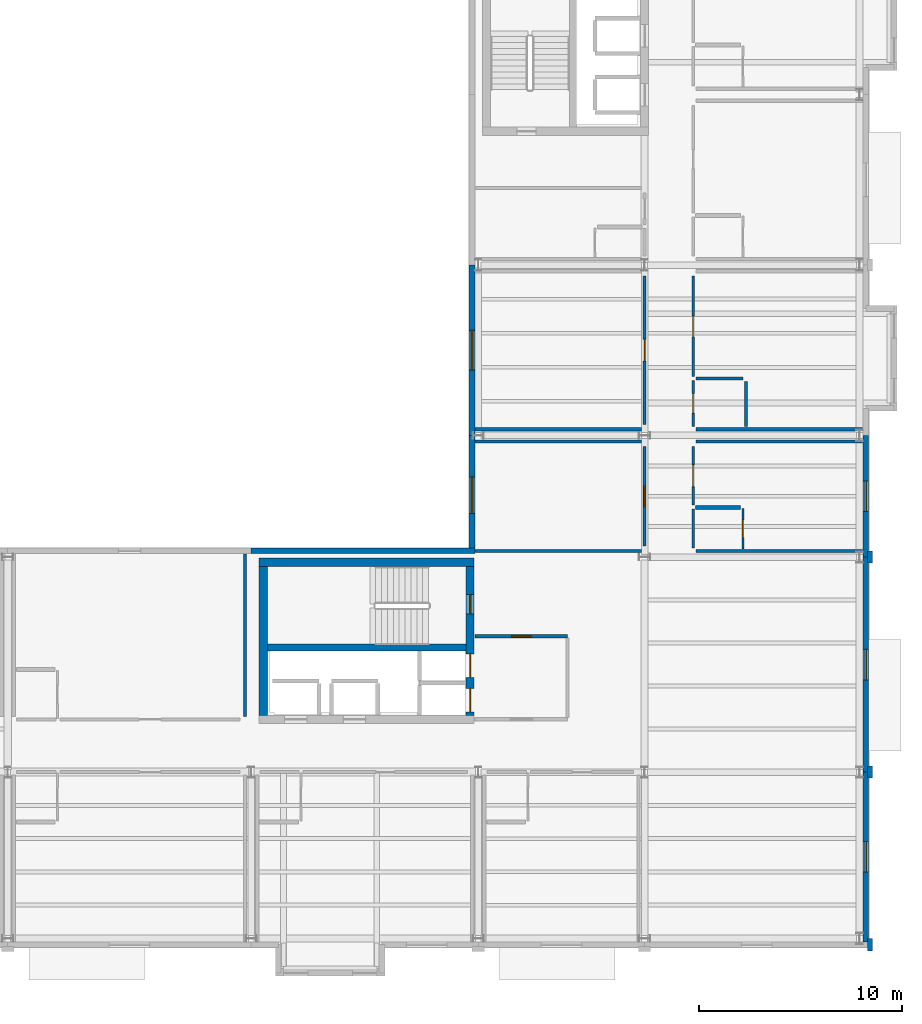
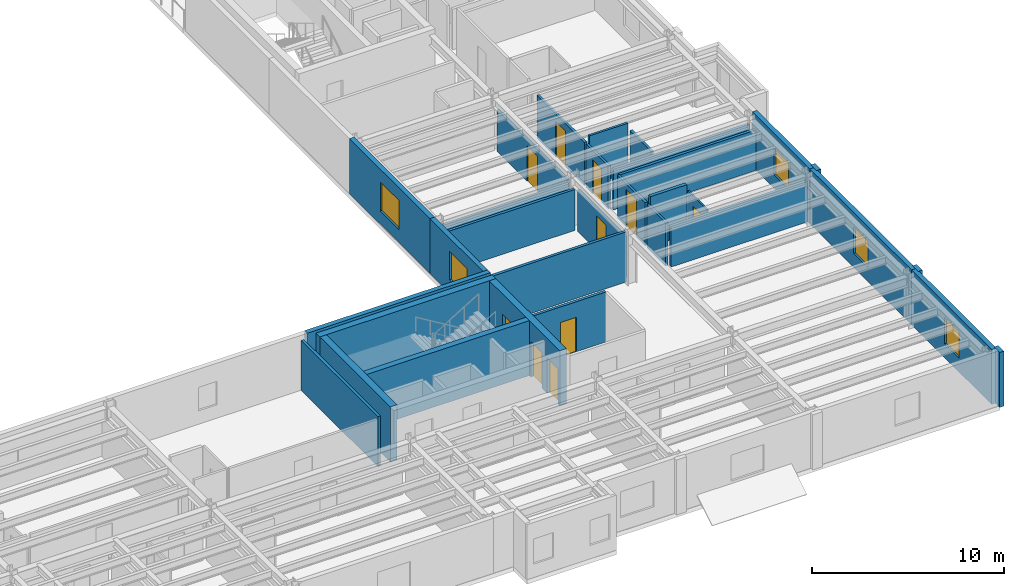
# One storey, part 13 of 19: 31 walls, 10 doors, 5 windows, 15 openings.
"""IFC4 building model written with IfcOpenShell, lengths in metres."""

from ifc_helpers import new_model, si_unit, direction, frame, frame_2d, origin, place, context, subcontext, project, spatial, rectangle, extrude, material, layer, layer_set, type_object, element, fill, save


model = new_model("IFC4")

# Units and contexts
model_context = context("Model", 3, precision=1e-05, world=origin(), true_north=direction((0.0, 1.0)))
body_context = subcontext(model_context, "Body", "Model", "MODEL_VIEW")
ifc_project = project(units=[si_unit("LENGTHUNIT", "METRE"), si_unit("AREAUNIT", "SQUARE_METRE"), si_unit("VOLUMEUNIT", "CUBIC_METRE"), si_unit("PLANEANGLEUNIT", "RADIAN"), si_unit("MASSUNIT", "GRAM", prefix="KILO")], contexts=[model_context])

# Site, building, storey
site_placement = place(None, origin())
site = spatial("IfcSite", under=ifc_project, at=site_placement, CompositionType="ELEMENT")
building_placement = place(site_placement, origin())
building = spatial("IfcBuilding", under=site, at=building_placement, Name="Sollismere Congress Hotel", CompositionType="ELEMENT")
storey_placement = place(building_placement, frame((0.0, 0.0, 34.10009765625)))
storey = spatial("IfcBuildingStorey", under=building, at=storey_placement, Name="L08", CompositionType="ELEMENT", Elevation=34.10009765625)

# Wall, opening, window
ifc_material_1 = material(Name="Colorado Buff Sandstone Rainscreen on Insulated Backup", Category="masonry")
ifc_layer_1 = layer(ifc_material_1, 0.284912109375, Name="Colorado Buff Sandstone Rainscreen on Insulated Backup")
ifc_layer_set_1 = layer_set([ifc_layer_1], Name="Colorado Buff Sandstone Rainscreen on Insulated Backup")
wall_type_1 = type_object("IfcWallType", Name="WL-EXT285", PredefinedType="STANDARD", material=ifc_layer_set_1)
wall_1_placement = place(storey_placement, frame((166.31005859375, -0.16552734375, 0.0), z_axis=(0.0, 0.0, 1.0), x_axis=(0.0, 1.0, 0.0)))
wall_1 = element("IfcWall", 1, at=wall_1_placement, inside=storey, type_object=wall_type_1, Name="Exterior wall EW-L08-843", PredefinedType="STANDARD", context=body_context, shape_type="SweptSolid", body=[
    extrude(rectangle(XDim=8.365478515625, YDim=0.284912109375, at=frame_2d((4.1826171875, 0.0))), origin(), (0.0, 0.0, 1.0), 3.5),
])
opening_1_placement = place(wall_1_placement, frame((3.4326171875, 0.0, 0.8798828125)))
opening_1 = element("IfcOpeningElement", 2, at=opening_1_placement, cuts=wall_1, Name="Opening W-L08-610", PredefinedType="OPENING", context=body_context, shape_type="SweptSolid", body=[
    extrude(rectangle(XDim=1.5, YDim=1.699951171875, at=frame_2d((0.75, 0.85009765625))), frame((0.0, 0.15234375, 0.0), z_axis=(0.0, -1.0, 0.0), x_axis=(1.0, 0.0, 0.0)), (0.0, 0.0, 1.0), 0.304931640625),
])
ifc_material_2 = material(Name="Thermally Broken Bronze Aluminum & Low-E Glass", Category="aluminium")
window_type_1 = type_object("IfcWindowType", Name="WN-P150x170", PartitioningType="SINGLE_PANEL", PredefinedType="WINDOW", material=ifc_material_2)
window_1_placement = place(opening_1_placement, origin())
window_1 = element("IfcWindow", 3, at=window_1_placement, inside=storey, type_object=window_type_1, Name="WIN-W-L08-610", OverallHeight=1.699951171875, OverallWidth=1.5, PartitioningType="SINGLE_PANEL", PredefinedType="WINDOW", context=body_context, shape_type="SweptSolid", body=[
    extrude(rectangle(XDim=1.5, YDim=1.699951171875, at=frame_2d((0.75, 0.85009765625))), frame((0.0, 0.030029296875, 0.0), z_axis=(0.0, -1.0, 0.0), x_axis=(1.0, 0.0, 0.0)), (0.0, 0.0, 1.0), 0.06005859375),
])
fill(opening_1, window_1)

wall_2_placement = place(storey_placement, frame((166.31005859375, 8.199951171875, 0.0), z_axis=(0.0, 0.0, 1.0), x_axis=(0.0, 1.0, 0.0)))
wall_2 = element("IfcWall", 4, at=wall_2_placement, inside=storey, type_object=wall_type_1, Name="Exterior wall EW-L08-845", PredefinedType="STANDARD", context=body_context, shape_type="SweptSolid", body=[
    extrude(rectangle(XDim=10.60009765625, YDim=0.284912109375, at=frame_2d((5.300048828125, 0.0))), origin(), (0.0, 0.0, 1.0), 3.5),
])
opening_2_placement = place(wall_2_placement, frame((4.550048828125, 0.0, 0.8798828125)))
opening_2 = element("IfcOpeningElement", 5, at=opening_2_placement, cuts=wall_2, Name="Opening W-L08-611", PredefinedType="OPENING", context=body_context, shape_type="SweptSolid", body=[
    extrude(rectangle(XDim=1.5, YDim=1.699951171875, at=frame_2d((0.75, 0.85009765625))), frame((0.0, 0.15234375, 0.0), z_axis=(0.0, -1.0, 0.0), x_axis=(1.0, 0.0, 0.0)), (0.0, 0.0, 1.0), 0.304931640625),
])
window_2_placement = place(opening_2_placement, origin())
window_2 = element("IfcWindow", 6, at=window_2_placement, inside=storey, type_object=window_type_1, Name="WIN-W-L08-611", OverallHeight=1.699951171875, OverallWidth=1.5, PartitioningType="SINGLE_PANEL", PredefinedType="WINDOW", context=body_context, shape_type="SweptSolid", body=[
    extrude(rectangle(XDim=1.5, YDim=1.699951171875, at=frame_2d((0.75, 0.85009765625))), frame((0.0, 0.030029296875, 0.0), z_axis=(0.0, -1.0, 0.0), x_axis=(1.0, 0.0, 0.0)), (0.0, 0.0, 1.0), 0.06005859375),
])
fill(opening_2, window_2)

wall_3_placement = place(storey_placement, frame((166.31005859375, 18.800048828125, 0.0), z_axis=(0.0, 0.0, 1.0), x_axis=(0.0, 1.0, 0.0)))
wall_3 = element("IfcWall", 7, at=wall_3_placement, inside=storey, type_object=wall_type_1, Name="Exterior wall EW-L08-847", PredefinedType="STANDARD", context=body_context, shape_type="SweptSolid", body=[
    extrude(rectangle(XDim=6.0, YDim=0.284912109375, at=frame_2d((3.0, 0.0))), origin(), (0.0, 0.0, 1.0), 3.5),
])
opening_3_placement = place(wall_3_placement, frame((2.25, 0.0, 0.85009765625)))
opening_3 = element("IfcOpeningElement", 8, at=opening_3_placement, cuts=wall_3, Name="Opening W-L08-612", PredefinedType="OPENING", context=body_context, shape_type="SweptSolid", body=[
    extrude(rectangle(XDim=1.5, YDim=1.699951171875, at=frame_2d((0.75, 0.85009765625))), frame((0.0, 0.15234375, 0.0), z_axis=(0.0, -1.0, 0.0), x_axis=(1.0, 0.0, 0.0)), (0.0, 0.0, 1.0), 0.304931640625),
])
window_3_placement = place(opening_3_placement, origin())
window_3 = element("IfcWindow", 9, at=window_3_placement, inside=storey, type_object=window_type_1, Name="WIN-W-L08-612", OverallHeight=1.699951171875, OverallWidth=1.5, PartitioningType="SINGLE_PANEL", PredefinedType="WINDOW", context=body_context, shape_type="SweptSolid", body=[
    extrude(rectangle(XDim=1.5, YDim=1.699951171875, at=frame_2d((0.75, 0.85009765625))), frame((0.0, 0.030029296875, 0.0), z_axis=(0.0, -1.0, 0.0), x_axis=(1.0, 0.0, 0.0)), (0.0, 0.0, 1.0), 0.06005859375),
])
fill(opening_3, window_3)

# Wall
wall_4_placement = place(storey_placement, frame((147.030029296875, 19.110107421875, 0.0), z_axis=(0.0, 0.0, 1.0), x_axis=(-1.0, 0.0, 0.0)))
element("IfcWall", 10, at=wall_4_placement, inside=storey, type_object=wall_type_1, Name="Exterior wall EW-L08-868", PredefinedType="STANDARD", context=body_context, shape_type="SweptSolid", body=[
    extrude(rectangle(XDim=11.030029296875, YDim=0.284912109375, at=frame_2d((5.51513671875, 0.0))), origin(), (0.0, 0.0, 1.0), 3.5),
])

# Wall, opening, window
wall_5_placement = place(storey_placement, frame((146.889892578125, 19.25439453125, 0.0), z_axis=(0.0, 0.0, 1.0), x_axis=(0.0, 1.0, 0.0)))
wall_5 = element("IfcWall", 11, at=wall_5_placement, inside=storey, type_object=wall_type_1, Name="Exterior wall EW-L08-869", PredefinedType="STANDARD", context=body_context, shape_type="SweptSolid", body=[
    extrude(rectangle(XDim=5.545654296875, YDim=0.284912109375, at=frame_2d((2.77294921875, 0.0))), origin(), (0.0, 0.0, 1.0), 3.5),
])
opening_4_placement = place(wall_5_placement, frame((1.69775390625, 0.0, 0.85009765625)))
opening_4 = element("IfcOpeningElement", 12, at=opening_4_placement, cuts=wall_5, Name="Opening W-L08-626", PredefinedType="OPENING", context=body_context, shape_type="SweptSolid", body=[
    extrude(rectangle(XDim=1.800048828125, YDim=1.800048828125, at=frame_2d((0.89990234375, 0.89990234375))), frame((0.0, 0.15234375, 0.0), z_axis=(0.0, -1.0, 0.0), x_axis=(1.0, 0.0, 0.0)), (0.0, 0.0, 1.0), 0.304931640625),
])
window_type_2 = type_object("IfcWindowType", Name="WN-P180x180", PartitioningType="SINGLE_PANEL", PredefinedType="WINDOW", material=ifc_material_2)
window_4_placement = place(opening_4_placement, origin())
window_4 = element("IfcWindow", 13, at=window_4_placement, inside=storey, type_object=window_type_2, Name="WIN-W-L08-626", OverallHeight=1.800048828125, OverallWidth=1.800048828125, PartitioningType="SINGLE_PANEL", PredefinedType="WINDOW", context=body_context, shape_type="SweptSolid", body=[
    extrude(rectangle(XDim=1.800048828125, YDim=1.800048828125, at=frame_2d((0.89990234375, 0.89990234375))), frame((0.0, 0.030029296875, 0.0), z_axis=(0.0, -1.0, 0.0), x_axis=(1.0, 0.0, 0.0)), (0.0, 0.0, 1.0), 0.06005859375),
])
fill(opening_4, window_4)

wall_6_placement = place(storey_placement, frame((146.889892578125, 24.800048828125, 0.0), z_axis=(0.0, 0.0, 1.0), x_axis=(0.0, 1.0, 0.0)))
wall_6 = element("IfcWall", 14, at=wall_6_placement, inside=storey, type_object=wall_type_1, Name="Exterior wall EW-L08-870", PredefinedType="STANDARD", context=body_context, shape_type="SweptSolid", body=[
    extrude(rectangle(XDim=8.39990234375, YDim=0.284912109375, at=frame_2d((4.199951171875, 0.0))), origin(), (0.0, 0.0, 1.0), 3.5),
])
opening_5_placement = place(wall_6_placement, frame((3.22509765625, 0.0, 0.85009765625)))
opening_5 = element("IfcOpeningElement", 15, at=opening_5_placement, cuts=wall_6, Name="Opening W-L08-627", PredefinedType="OPENING", context=body_context, shape_type="SweptSolid", body=[
    extrude(rectangle(XDim=1.949951171875, YDim=1.85009765625, at=frame_2d((0.97509765625, 0.925048828125))), frame((0.0, 0.15234375, 0.0), z_axis=(0.0, -1.0, 0.0), x_axis=(1.0, 0.0, 0.0)), (0.0, 0.0, 1.0), 0.304931640625),
])
window_type_3 = type_object("IfcWindowType", Name="WN-P195x185", PartitioningType="SINGLE_PANEL", PredefinedType="WINDOW", material=ifc_material_2)
window_5_placement = place(opening_5_placement, origin())
window_5 = element("IfcWindow", 16, at=window_5_placement, inside=storey, type_object=window_type_3, Name="WIN-W-L08-627", OverallHeight=1.85009765625, OverallWidth=1.949951171875, PartitioningType="SINGLE_PANEL", PredefinedType="WINDOW", context=body_context, shape_type="SweptSolid", body=[
    extrude(rectangle(XDim=1.949951171875, YDim=1.85009765625, at=frame_2d((0.97509765625, 0.925048828125))), frame((0.0, 0.030029296875, 0.0), z_axis=(0.0, -1.0, 0.0), x_axis=(1.0, 0.0, 0.0)), (0.0, 0.0, 1.0), 0.06005859375),
])
fill(opening_5, window_5)

# Walls
ifc_material_3 = material(Name="Carved Travertine Pilaster & Frieze Assembly", Category="masonry")
ifc_layer_2 = layer(ifc_material_3, 0.260009765625, Name="Carved Travertine Pilaster & Frieze Assembly")
ifc_layer_set_2 = layer_set([ifc_layer_2], Name="Carved Travertine Pilaster & Frieze Assembly")
wall_type_2 = type_object("IfcWallType", Name="WL-PIL280", PredefinedType="ELEMENTEDWALL", material=ifc_layer_set_2)
for number, where, z_axis, x_axis, name in (
    (17, (166.52001953125, -0.610107421875, 0.0), (0.0, 0.0, 1.0), (0.0, 1.0, 0.0), "Exterior wall EW-L08-844"),
    (18, (166.52001953125, 7.89990234375, 0.0), (0.0, 0.0, 1.0), (0.0, 1.0, 0.0), "Exterior wall EW-L08-846"),
    (19, (166.52001953125, 18.5, 0.0), (0.0, 0.0, 1.0), (0.0, 1.0, 0.0), "Exterior wall EW-L08-848"),
):
    element("IfcWall", number, at=place(storey_placement, frame(where, z_axis=z_axis, x_axis=x_axis)), inside=storey, type_object=wall_type_2, Name=name, PredefinedType="ELEMENTEDWALL", context=body_context, shape_type="SweptSolid", body=[
        extrude(rectangle(XDim=0.60009765625, YDim=0.260009765625, at=frame_2d((0.300048828125, 0.0))), origin(), (0.0, 0.0, 1.0), 3.5),
    ])
ifc_material_4 = material(Name="Moisture-Resistant Shaft Gypsum Assembly")
ifc_layer_3 = layer(ifc_material_4, 0.199951171875, Name="Moisture-Resistant Shaft Gypsum Assembly")
ifc_layer_set_3 = layer_set([ifc_layer_3], Name="Moisture-Resistant Shaft Gypsum Assembly")
wall_type_3 = type_object("IfcWallType", Name="WL-PLM200", PredefinedType="PLUMBINGWALL", material=ifc_layer_set_3)
wall_7_placement = place(storey_placement, frame((157.919921875, 21.25, 0.0), z_axis=(0.0, 0.0, 1.0), x_axis=(1.0, 0.0, 0.0)))
element("IfcWall", 20, at=wall_7_placement, inside=storey, type_object=wall_type_3, Name="Interior wall IW-L08-2529", PredefinedType="PLUMBINGWALL", context=body_context, shape_type="SweptSolid", body=[
    extrude(rectangle(XDim=2.2099609375, YDim=0.199951171875, at=frame_2d((1.10498046875, 0.0))), origin(), (0.0, 0.0, 1.0), 3.18994140625),
])

# Wall, opening, door
ifc_material_5 = material(Name="Moisture-Resistant Gypsum Partition")
ifc_layer_4 = layer(ifc_material_5, 0.10009765625, Name="Moisture-Resistant Gypsum Partition")
ifc_layer_set_4 = layer_set([ifc_layer_4], Name="Moisture-Resistant Gypsum Partition")
wall_type_4 = type_object("IfcWallType", Name="WL-PRT100", PredefinedType="PARTITIONING", material=ifc_layer_set_4)
wall_8_placement = place(storey_placement, frame((160.25, 19.194580078125, 0.0), z_axis=(0.0, 0.0, 1.0), x_axis=(0.0, 1.0, 0.0)))
wall_8 = element("IfcWall", 21, at=wall_8_placement, inside=storey, type_object=wall_type_4, Name="Interior wall IW-L08-2530", PredefinedType="PARTITIONING", context=body_context, shape_type="SweptSolid", body=[
    extrude(rectangle(XDim=2.015380859375, YDim=0.10009765625, at=frame_2d((1.0078125, 0.0))), origin(), (0.0, 0.0, 1.0), 2.747802734375),
])
opening_6_placement = place(wall_8_placement, frame((0.568115234375, 0.0, 0.0)))
opening_6 = element("IfcOpeningElement", 22, at=opening_6_placement, cuts=wall_8, Name="Opening D-L08-0893", PredefinedType="OPENING", context=body_context, shape_type="SweptSolid", body=[
    extrude(rectangle(XDim=0.8798828125, YDim=2.10009765625, at=frame_2d((0.43994140625, 1.050048828125))), frame((0.0, 0.06005859375, 0.0), z_axis=(0.0, -1.0, 0.0), x_axis=(1.0, 0.0, 0.0)), (0.0, 0.0, 1.0), 0.1201171875),
])
ifc_material_6 = material(Name="Moisture-Sealed Timber Bathroom Door", Category="wood")
door_type_1 = type_object("IfcDoorType", Name="DR-BT01", OperationType="NOTDEFINED", PredefinedType="DOOR", material=ifc_material_6)
door_1_placement = place(opening_6_placement, origin())
door_1 = element("IfcDoor", 23, at=door_1_placement, inside=storey, type_object=door_type_1, Name="En-suite bathroom door D-L08-0893", OperationType="SINGLE_SWING_RIGHT", OverallHeight=2.10009765625, OverallWidth=0.8798828125, PredefinedType="DOOR", context=body_context, shape_type="SweptSolid", body=[
    extrude(rectangle(XDim=0.8798828125, YDim=2.10009765625, at=frame_2d((0.43994140625, 1.050048828125))), frame((0.0, 0.02490234375, 0.0), z_axis=(0.0, -1.0, 0.0), x_axis=(1.0, 0.0, 0.0)), (0.0, 0.0, 1.0), 0.050048828125),
])
fill(opening_6, door_1)

# Wall
ifc_material_7 = material(Name="Fire-Rated Gypsum Partition")
ifc_layer_5 = layer(ifc_material_7, 0.139892578125, Name="Fire-Rated Gypsum Partition")
ifc_layer_set_5 = layer_set([ifc_layer_5], Name="Fire-Rated Gypsum Partition")
wall_type_5 = type_object("IfcWallType", Name="WL-PRT140R", PredefinedType="PARTITIONING", material=ifc_layer_set_5)
wall_9_placement = place(storey_placement, frame((157.800048828125, 19.239990234375, 0.0), z_axis=(0.0, 0.0, 1.0), x_axis=(0.0, 1.0, 0.0)))
element("IfcWall", 24, at=wall_9_placement, inside=storey, type_object=wall_type_5, Name="Interior wall IW-L08-2525", PredefinedType="PARTITIONING", context=body_context, shape_type="SweptSolid", body=[
    extrude(rectangle(XDim=1.929931640625, YDim=0.139892578125, at=frame_2d((0.96484375, 0.0))), origin(), (0.0, 0.0, 1.0), 2.747802734375),
])

# Wall, opening, door
wall_10_placement = place(storey_placement, frame((157.800048828125, 21.3701171875, 0.0), z_axis=(0.0, 0.0, 1.0), x_axis=(0.0, 1.0, 0.0)))
wall_10 = element("IfcWall", 25, at=wall_10_placement, inside=storey, type_object=wall_type_5, Name="Interior wall IW-L08-2526", PredefinedType="PARTITIONING", context=body_context, shape_type="SweptSolid", body=[
    extrude(rectangle(XDim=2.889892578125, YDim=0.139892578125, at=frame_2d((1.44482421875, 0.0))), origin(), (0.0, 0.0, 1.0), 2.747802734375),
])
opening_7_placement = place(wall_10_placement, frame((0.909912109375, 0.0, 0.0)))
opening_7 = element("IfcOpeningElement", 26, at=opening_7_placement, cuts=wall_10, Name="Opening D-L08-0892", PredefinedType="OPENING", context=body_context, shape_type="SweptSolid", body=[
    extrude(rectangle(XDim=1.070068359375, YDim=2.39990234375, at=frame_2d((0.53515625, 1.199951171875))), frame((0.0, 0.079833984375, 0.0), z_axis=(0.0, -1.0, 0.0), x_axis=(1.0, 0.0, 0.0)), (0.0, 0.0, 1.0), 0.159912109375),
])
ifc_material_8 = material(Name="Solid-Core Acoustic Walnut Guestroom Entry Door")
door_type_2 = type_object("IfcDoorType", Name="DR-KY12", OperationType="NOTDEFINED", PredefinedType="DOOR", material=ifc_material_8)
door_2_placement = place(opening_7_placement, origin())
door_2 = element("IfcDoor", 27, at=door_2_placement, inside=storey, type_object=door_type_2, Name="Hotel room entry door D-L08-0892", OperationType="SINGLE_SWING_LEFT", OverallHeight=2.39990234375, OverallWidth=1.070068359375, PredefinedType="DOOR", context=body_context, shape_type="SweptSolid", body=[
    extrude(rectangle(XDim=1.070068359375, YDim=2.39990234375, at=frame_2d((0.53515625, 1.199951171875))), frame((0.0, 0.02490234375, 0.0), z_axis=(0.0, -1.0, 0.0), x_axis=(1.0, 0.0, 0.0)), (0.0, 0.0, 1.0), 0.050048828125),
])
fill(opening_7, door_2)

wall_11_placement = place(storey_placement, frame((155.39990234375, 19.340087890625, 0.0), z_axis=(0.0, 0.0, 1.0), x_axis=(0.0, 1.0, 0.0)))
wall_11 = element("IfcWall", 28, at=wall_11_placement, inside=storey, type_object=wall_type_5, Name="Interior wall IW-L08-2548", PredefinedType="PARTITIONING", context=body_context, shape_type="SweptSolid", body=[
    extrude(rectangle(XDim=4.919921875, YDim=0.139892578125, at=frame_2d((2.4599609375, 0.0))), origin(), (0.0, 0.0, 1.0), 2.663818359375),
])
opening_8_placement = place(wall_11_placement, frame((1.955078125, 0.0, 0.0)))
opening_8 = element("IfcOpeningElement", 29, at=opening_8_placement, cuts=wall_11, Name="Opening D-L08-0900", PredefinedType="OPENING", context=body_context, shape_type="SweptSolid", body=[
    extrude(rectangle(XDim=1.010009765625, YDim=2.199951171875, at=frame_2d((0.5048828125, 1.10009765625))), frame((0.0, 0.079833984375, 0.0), z_axis=(0.0, -1.0, 0.0), x_axis=(1.0, 0.0, 0.0)), (0.0, 0.0, 1.0), 0.159912109375),
])
door_type_3 = type_object("IfcDoorType", Name="DR-KY04", OperationType="NOTDEFINED", PredefinedType="DOOR", material=ifc_material_8)
door_3_placement = place(opening_8_placement, origin())
door_3 = element("IfcDoor", 30, at=door_3_placement, inside=storey, type_object=door_type_3, Name="Hotel room entry door D-L08-0900", OperationType="SINGLE_SWING_LEFT", OverallHeight=2.199951171875, OverallWidth=1.010009765625, PredefinedType="DOOR", context=body_context, shape_type="SweptSolid", body=[
    extrude(rectangle(XDim=1.010009765625, YDim=2.199951171875, at=frame_2d((0.5048828125, 1.10009765625))), frame((0.0, 0.02490234375, 0.0), z_axis=(0.0, -1.0, 0.0), x_axis=(1.0, 0.0, 0.0)), (0.0, 0.0, 1.0), 0.050048828125),
])
fill(opening_8, door_3)

wall_12_placement = place(storey_placement, frame((157.800048828125, 25.239990234375, 0.0), z_axis=(0.0, 0.0, 1.0), x_axis=(0.0, 1.0, 0.0)))
wall_12 = element("IfcWall", 31, at=wall_12_placement, inside=storey, type_object=wall_type_5, Name="Interior wall IW-L08-2551", PredefinedType="PARTITIONING", context=body_context, shape_type="SweptSolid", body=[
    extrude(rectangle(XDim=2.280029296875, YDim=0.139892578125, at=frame_2d((1.14013671875, 0.0))), origin(), (0.0, 0.0, 1.0), 2.742919921875),
])
opening_9_placement = place(wall_12_placement, frame((0.659912109375, 0.0, 0.0)))
opening_9 = element("IfcOpeningElement", 32, at=opening_9_placement, cuts=wall_12, Name="Opening D-L08-0901", PredefinedType="OPENING", context=body_context, shape_type="SweptSolid", body=[
    extrude(rectangle(XDim=0.9599609375, YDim=2.14990234375, at=frame_2d((0.47998046875, 1.074951171875))), frame((0.0, 0.079833984375, 0.0), z_axis=(0.0, -1.0, 0.0), x_axis=(1.0, 0.0, 0.0)), (0.0, 0.0, 1.0), 0.159912109375),
])
ifc_material_9 = material(Name="Fire-Rated Accessible Restroom Door")
door_type_4 = type_object("IfcDoorType", Name="DR-AWC01", OperationType="NOTDEFINED", PredefinedType="DOOR", material=ifc_material_9)
door_4_placement = place(opening_9_placement, origin())
door_4 = element("IfcDoor", 33, at=door_4_placement, inside=storey, type_object=door_type_4, Name="Accessible restroom door D-L08-0901", OperationType="SINGLE_SWING_RIGHT", OverallHeight=2.14990234375, OverallWidth=0.9599609375, PredefinedType="DOOR", context=body_context, shape_type="SweptSolid", body=[
    extrude(rectangle(XDim=0.9599609375, YDim=2.14990234375, at=frame_2d((0.47998046875, 1.074951171875))), frame((0.0, 0.02490234375, 0.0), z_axis=(0.0, -1.0, 0.0), x_axis=(1.0, 0.0, 0.0)), (0.0, 0.0, 1.0), 0.050048828125),
])
fill(opening_9, door_4)

# Walls
wall_13_placement = place(storey_placement, frame((160.39990234375, 25.239990234375, 0.0), z_axis=(0.0, 0.0, 1.0), x_axis=(0.0, 1.0, 0.0)))
element("IfcWall", 34, at=wall_13_placement, inside=storey, type_object=wall_type_5, Name="Interior wall IW-L08-2552", PredefinedType="PARTITIONING", context=body_context, shape_type="SweptSolid", body=[
    extrude(rectangle(XDim=2.219970703125, YDim=0.139892578125, at=frame_2d((1.10986328125, 0.0))), origin(), (0.0, 0.0, 1.0), 2.742919921875),
])
wall_14_placement = place(storey_placement, frame((157.93994140625, 27.60009765625, 0.0), z_axis=(0.0, 0.0, 1.0), x_axis=(1.0, 0.0, 0.0)))
element("IfcWall", 35, at=wall_14_placement, inside=storey, type_object=wall_type_5, Name="Interior wall IW-L08-2553", PredefinedType="PARTITIONING", context=body_context, shape_type="SweptSolid", body=[
    extrude(rectangle(XDim=2.320068359375, YDim=0.139892578125, at=frame_2d((1.16015625, 0.0))), origin(), (0.0, 0.0, 1.0), 3.18994140625),
])

# Wall, opening, door
wall_15_placement = place(storey_placement, frame((157.800048828125, 27.699951171875, 0.0), z_axis=(0.0, 0.0, 1.0), x_axis=(0.0, 1.0, 0.0)))
wall_15 = element("IfcWall", 36, at=wall_15_placement, inside=storey, type_object=wall_type_5, Name="Interior wall IW-L08-2554", PredefinedType="PARTITIONING", context=body_context, shape_type="SweptSolid", body=[
    extrude(rectangle(XDim=4.9599609375, YDim=0.139892578125, at=frame_2d((2.47998046875, 0.0))), origin(), (0.0, 0.0, 1.0), 2.742919921875),
])
opening_10_placement = place(wall_15_placement, frame((1.9599609375, 0.0, 0.0)))
opening_10 = element("IfcOpeningElement", 37, at=opening_10_placement, cuts=wall_15, Name="Opening D-L08-0902", PredefinedType="OPENING", context=body_context, shape_type="SweptSolid", body=[
    extrude(rectangle(XDim=1.0400390625, YDim=2.25, at=frame_2d((0.52001953125, 1.125))), frame((0.0, 0.079833984375, 0.0), z_axis=(0.0, -1.0, 0.0), x_axis=(1.0, 0.0, 0.0)), (0.0, 0.0, 1.0), 0.159912109375),
])
door_type_5 = type_object("IfcDoorType", Name="DR-KY05", OperationType="NOTDEFINED", PredefinedType="DOOR", material=ifc_material_8)
door_5_placement = place(opening_10_placement, origin())
door_5 = element("IfcDoor", 38, at=door_5_placement, inside=storey, type_object=door_type_5, Name="Hotel room entry door D-L08-0902", OperationType="SINGLE_SWING_LEFT", OverallHeight=2.25, OverallWidth=1.0400390625, PredefinedType="DOOR", context=body_context, shape_type="SweptSolid", body=[
    extrude(rectangle(XDim=1.0400390625, YDim=2.25, at=frame_2d((0.52001953125, 1.125))), frame((0.0, 0.02490234375, 0.0), z_axis=(0.0, -1.0, 0.0), x_axis=(1.0, 0.0, 0.0)), (0.0, 0.0, 1.0), 0.050048828125),
])
fill(opening_10, door_5)

wall_16_placement = place(storey_placement, frame((155.39990234375, 25.340087890625, 0.0), z_axis=(0.0, 0.0, 1.0), x_axis=(0.0, 1.0, 0.0)))
wall_16 = element("IfcWall", 39, at=wall_16_placement, inside=storey, type_object=wall_type_5, Name="Interior wall IW-L08-2557", PredefinedType="PARTITIONING", context=body_context, shape_type="SweptSolid", body=[
    extrude(rectangle(XDim=7.31982421875, YDim=0.139892578125, at=frame_2d((3.659912109375, 0.0))), origin(), (0.0, 0.0, 1.0), 2.663818359375),
])
opening_11_placement = place(wall_16_placement, frame((3.125, 0.0, 0.0)))
opening_11 = element("IfcOpeningElement", 40, at=opening_11_placement, cuts=wall_16, Name="Opening D-L08-0903", PredefinedType="OPENING", context=body_context, shape_type="SweptSolid", body=[
    extrude(rectangle(XDim=1.070068359375, YDim=2.25, at=frame_2d((0.53515625, 1.125))), frame((0.0, 0.079833984375, 0.0), z_axis=(0.0, -1.0, 0.0), x_axis=(1.0, 0.0, 0.0)), (0.0, 0.0, 1.0), 0.159912109375),
])
door_type_6 = type_object("IfcDoorType", Name="DR-KY06", OperationType="NOTDEFINED", PredefinedType="DOOR", material=ifc_material_8)
door_6_placement = place(opening_11_placement, origin())
door_6 = element("IfcDoor", 41, at=door_6_placement, inside=storey, type_object=door_type_6, Name="Hotel room entry door D-L08-0903", OperationType="SINGLE_SWING_RIGHT", OverallHeight=2.25, OverallWidth=1.070068359375, PredefinedType="DOOR", context=body_context, shape_type="SweptSolid", body=[
    extrude(rectangle(XDim=1.070068359375, YDim=2.25, at=frame_2d((0.53515625, 1.125))), frame((0.0, 0.02490234375, 0.0), z_axis=(0.0, -1.0, 0.0), x_axis=(1.0, 0.0, 0.0)), (0.0, 0.0, 1.0), 0.050048828125),
])
fill(opening_11, door_6)

ifc_material_10 = material(Name="Fire-Rated Acoustic Gypsum Partition")
ifc_layer_6 = layer(ifc_material_10, 0.1650390625, Name="Fire-Rated Acoustic Gypsum Partition")
ifc_layer_set_6 = layer_set([ifc_layer_6], Name="Fire-Rated Acoustic Gypsum Partition")
wall_type_6 = type_object("IfcWallType", Name="WL-PRT165R", PredefinedType="PARTITIONING", material=ifc_layer_set_6)
wall_17_placement = place(storey_placement, frame((147.050048828125, 14.89990234375, 0.0), z_axis=(0.0, 0.0, 1.0), x_axis=(1.0, 0.0, 0.0)))
wall_17 = element("IfcWall", 42, at=wall_17_placement, inside=storey, type_object=wall_type_6, Name="Interior wall IW-L08-0159", PredefinedType="PARTITIONING", context=body_context, shape_type="SweptSolid", body=[
    extrude(rectangle(XDim=4.550048828125, YDim=0.1650390625, at=frame_2d((2.27490234375, 0.0))), origin(), (0.0, 0.0, 1.0), 3.18994140625),
])
opening_12_placement = place(wall_17_placement, frame((1.800048828125, 0.0, 0.0)))
opening_12 = element("IfcOpeningElement", 43, at=opening_12_placement, cuts=wall_17, Name="Opening D-FFS-L08", PredefinedType="OPENING", context=body_context, shape_type="SweptSolid", body=[
    extrude(rectangle(XDim=0.949951171875, YDim=2.199951171875, at=frame_2d((0.47509765625, 1.10009765625))), frame((0.0, 0.092529296875, 0.0), z_axis=(0.0, -1.0, 0.0), x_axis=(1.0, 0.0, 0.0)), (0.0, 0.0, 1.0), 0.18505859375),
])
ifc_material_11 = material(Name="Fire-Rated Insulated Steel Door", Category="steel")
door_type_7 = type_object("IfcDoorType", Name="DR-FD90", OperationType="NOTDEFINED", PredefinedType="DOOR", material=ifc_material_11)
door_7_placement = place(opening_12_placement, origin())
door_7 = element("IfcDoor", 44, at=door_7_placement, inside=storey, type_object=door_type_7, Name="Firefighting stair vestibule door D-FFS-L08", OperationType="SINGLE_SWING_RIGHT", OverallHeight=2.199951171875, OverallWidth=0.949951171875, PredefinedType="DOOR", context=body_context, shape_type="SweptSolid", body=[
    extrude(rectangle(XDim=0.949951171875, YDim=2.199951171875, at=frame_2d((0.47509765625, 1.10009765625))), frame((0.0, 0.02490234375, 0.0), z_axis=(0.0, -1.0, 0.0), x_axis=(1.0, 0.0, 0.0)), (0.0, 0.0, 1.0), 0.050048828125),
])
fill(opening_12, door_7)

# Walls
wall_18_placement = place(storey_placement, frame((135.699951171875, 10.93994140625, 0.0), z_axis=(0.0, 0.0, 1.0), x_axis=(0.0, 1.0, 0.0)))
element("IfcWall", 45, at=wall_18_placement, inside=storey, type_object=wall_type_6, Name="Interior wall IW-L08-2510", PredefinedType="PARTITIONING", context=body_context, shape_type="SweptSolid", body=[
    extrude(rectangle(XDim=8.012451171875, YDim=0.1650390625, at=frame_2d((4.00634765625, 0.0))), origin(), (0.0, 0.0, 1.0), 3.18994140625),
])
for number, where, z_axis, x_axis, name in (
    (46, (157.93994140625, 19.10009765625, 0.0), (0.0, 0.0, 1.0), (1.0, 0.0, 0.0), "Interior wall IW-L08-2527"),
    (47, (157.93994140625, 24.5, 0.0), (0.0, 0.0, 1.0), (1.0, 0.0, 0.0), "Interior wall IW-L08-2528"),
):
    element("IfcWall", number, at=place(storey_placement, frame(where, z_axis=z_axis, x_axis=x_axis)), inside=storey, type_object=wall_type_6, Name=name, PredefinedType="PARTITIONING", context=body_context, shape_type="SweptSolid", body=[
        extrude(rectangle(XDim=8.212646484375, YDim=0.1650390625, at=frame_2d((4.1064453125, 0.0))), origin(), (0.0, 0.0, 1.0), 2.579833984375),
    ])
wall_19_placement = place(storey_placement, frame((147.0400390625, 19.10009765625, 0.0), z_axis=(0.0, 0.0, 1.0), x_axis=(1.0, 0.0, 0.0)))
element("IfcWall", 48, at=wall_19_placement, inside=storey, type_object=wall_type_6, Name="Interior wall IW-L08-2549", PredefinedType="PARTITIONING", context=body_context, shape_type="SweptSolid", body=[
    extrude(rectangle(XDim=8.219970703125, YDim=0.1650390625, at=frame_2d((4.10986328125, 0.0))), origin(), (0.0, 0.0, 1.0), 3.18994140625),
])
wall_20_placement = place(storey_placement, frame((147.047607421875, 24.5, 0.0), z_axis=(0.0, 0.0, 1.0), x_axis=(1.0, 0.0, 0.0)))
element("IfcWall", 49, at=wall_20_placement, inside=storey, type_object=wall_type_6, Name="Interior wall IW-L08-2550", PredefinedType="PARTITIONING", context=body_context, shape_type="SweptSolid", body=[
    extrude(rectangle(XDim=8.21240234375, YDim=0.1650390625, at=frame_2d((4.106201171875, 0.0))), origin(), (0.0, 0.0, 1.0), 2.602783203125),
])
wall_21_placement = place(storey_placement, frame((157.93994140625, 25.10009765625, 0.0), z_axis=(0.0, 0.0, 1.0), x_axis=(1.0, 0.0, 0.0)))
element("IfcWall", 50, at=wall_21_placement, inside=storey, type_object=wall_type_6, Name="Interior wall IW-L08-2555", PredefinedType="PARTITIONING", context=body_context, shape_type="SweptSolid", body=[
    extrude(rectangle(XDim=8.212646484375, YDim=0.1650390625, at=frame_2d((4.1064453125, 0.0))), origin(), (0.0, 0.0, 1.0), 2.579833984375),
])
wall_22_placement = place(storey_placement, frame((147.047607421875, 25.10009765625, 0.0), z_axis=(0.0, 0.0, 1.0), x_axis=(1.0, 0.0, 0.0)))
element("IfcWall", 51, at=wall_22_placement, inside=storey, type_object=wall_type_6, Name="Interior wall IW-L08-2558", PredefinedType="PARTITIONING", context=body_context, shape_type="SweptSolid", body=[
    extrude(rectangle(XDim=8.21240234375, YDim=0.1650390625, at=frame_2d((4.106201171875, 0.0))), origin(), (0.0, 0.0, 1.0), 2.602783203125),
])
ifc_material_12 = material(Name="Concrete C50/60", Category="concrete")
ifc_layer_7 = layer(ifc_material_12, 0.35009765625, Name="Concrete C50/60")
ifc_layer_set_7 = layer_set([ifc_layer_7], Name="Concrete C50/60")
wall_type_7 = type_object("IfcWallType", Name="WL-SHR350", PredefinedType="SHEAR", material=ifc_layer_set_7)
wall_23_placement = place(storey_placement, frame((136.800048828125, 14.35009765625, 0.0), z_axis=(0.0, 0.0, 1.0), x_axis=(1.0, 0.0, 0.0)))
element("IfcWall", 52, at=wall_23_placement, inside=storey, type_object=wall_type_7, Name="Interior wall IW-L08-0149", PredefinedType="SHEAR", context=body_context, shape_type="SweptSolid", body=[
    extrude(rectangle(XDim=9.800048828125, YDim=0.35009765625, at=frame_2d((4.89990234375, 0.0))), origin(), (0.0, 0.0, 1.0), 3.5),
])
ifc_layer_8 = layer(ifc_material_12, 0.39990234375, Name="Concrete C50/60")
ifc_layer_set_8 = layer_set([ifc_layer_8], Name="Concrete C50/60")
wall_type_8 = type_object("IfcWallType", Name="WL-SHR400", PredefinedType="SHEAR", material=ifc_layer_set_8)
wall_24_placement = place(storey_placement, frame((147.0, 18.550048828125, 0.0), z_axis=(0.0, 0.0, 1.0), x_axis=(-1.0, 0.0, 0.0)))
element("IfcWall", 53, at=wall_24_placement, inside=storey, type_object=wall_type_8, Name="Interior wall IW-L08-0146", PredefinedType="SHEAR", context=body_context, shape_type="SweptSolid", body=[
    extrude(rectangle(XDim=10.60009765625, YDim=0.39990234375, at=frame_2d((5.300048828125, 0.0))), origin(), (0.0, 0.0, 1.0), 3.5),
])
wall_25_placement = place(storey_placement, frame((136.60009765625, 18.35009765625, 0.0), z_axis=(0.0, 0.0, 1.0), x_axis=(0.0, -1.0, 0.0)))
element("IfcWall", 54, at=wall_25_placement, inside=storey, type_object=wall_type_8, Name="Interior wall IW-L08-0147", PredefinedType="SHEAR", context=body_context, shape_type="SweptSolid", body=[
    extrude(rectangle(XDim=7.35009765625, YDim=0.39990234375, at=frame_2d((3.675048828125, 0.0))), origin(), (0.0, 0.0, 1.0), 3.5),
])

# Wall, openings, doors
wall_26_placement = place(storey_placement, frame((146.800048828125, 11.0, 0.0), z_axis=(0.0, 0.0, 1.0), x_axis=(0.0, 1.0, 0.0)))
wall_26 = element("IfcWall", 55, at=wall_26_placement, inside=storey, type_object=wall_type_8, Name="Interior wall IW-L08-0148", PredefinedType="SHEAR", context=body_context, shape_type="SweptSolid", body=[
    extrude(rectangle(XDim=7.35009765625, YDim=0.39990234375, at=frame_2d((3.675048828125, 0.0))), origin(), (0.0, 0.0, 1.0), 3.5),
])
opening_13_placement = place(wall_26_placement, frame((5.0, 0.0, 0.0)))
opening_13 = element("IfcOpeningElement", 56, at=opening_13_placement, cuts=wall_26, Name="Opening D-ST-01-L08", PredefinedType="OPENING", context=body_context, shape_type="SweptSolid", body=[
    extrude(rectangle(XDim=0.949951171875, YDim=2.199951171875, at=frame_2d((0.47509765625, 1.10009765625))), frame((0.0, 0.2099609375, 0.0), z_axis=(0.0, -1.0, 0.0), x_axis=(1.0, 0.0, 0.0)), (0.0, 0.0, 1.0), 0.419921875),
])
opening_14_placement = place(wall_26_placement, frame((0.175048828125, 0.0, 0.0)))
opening_14 = element("IfcOpeningElement", 57, at=opening_14_placement, cuts=wall_26, Name="Opening LD-FL-01-L08", PredefinedType="OPENING", context=body_context, shape_type="SweptSolid", body=[
    extrude(rectangle(XDim=1.14990234375, YDim=2.25, at=frame_2d((0.574951171875, 1.125))), frame((0.0, 0.2099609375, 0.0), z_axis=(0.0, -1.0, 0.0), x_axis=(1.0, 0.0, 0.0)), (0.0, 0.0, 1.0), 0.419921875),
])
opening_15_placement = place(wall_26_placement, frame((1.875, 0.0, 0.0)))
opening_15 = element("IfcOpeningElement", 58, at=opening_15_placement, cuts=wall_26, Name="Opening LD-FL-02-L08", PredefinedType="OPENING", context=body_context, shape_type="SweptSolid", body=[
    extrude(rectangle(XDim=1.14990234375, YDim=2.25, at=frame_2d((0.574951171875, 1.125))), frame((0.0, 0.2099609375, 0.0), z_axis=(0.0, -1.0, 0.0), x_axis=(1.0, 0.0, 0.0)), (0.0, 0.0, 1.0), 0.419921875),
])
door_8_placement = place(opening_13_placement, origin())
door_8 = element("IfcDoor", 59, at=door_8_placement, inside=storey, type_object=door_type_7, Name="Exit stair fire door D-ST-01-L08", OperationType="SINGLE_SWING_RIGHT", OverallHeight=2.199951171875, OverallWidth=0.949951171875, PredefinedType="DOOR", context=body_context, shape_type="SweptSolid", body=[
    extrude(rectangle(XDim=0.949951171875, YDim=2.199951171875, at=frame_2d((0.47509765625, 1.10009765625))), frame((0.0, 0.02490234375, 0.0), z_axis=(0.0, -1.0, 0.0), x_axis=(1.0, 0.0, 0.0)), (0.0, 0.0, 1.0), 0.050048828125),
])
fill(opening_13, door_8)
ifc_material_13 = material(Name="Stainless Steel Sliding Elevator Landing Door", Category="steel")
door_type_8 = type_object("IfcDoorType", Name="DR-LD115", OperationType="NOTDEFINED", PredefinedType="DOOR", material=ifc_material_13)
door_9_placement = place(opening_14_placement, origin())
door_9 = element("IfcDoor", 60, at=door_9_placement, inside=storey, type_object=door_type_8, Name="Elevator landing door LD-FL-01-L08", OperationType="SLIDING_TO_LEFT", OverallHeight=2.25, OverallWidth=1.14990234375, PredefinedType="DOOR", context=body_context, shape_type="SweptSolid", body=[
    extrude(rectangle(XDim=1.14990234375, YDim=2.25, at=frame_2d((0.574951171875, 1.125))), frame((0.0, 0.02490234375, 0.0), z_axis=(0.0, -1.0, 0.0), x_axis=(1.0, 0.0, 0.0)), (0.0, 0.0, 1.0), 0.050048828125),
])
fill(opening_14, door_9)
door_10_placement = place(opening_15_placement, origin())
door_10 = element("IfcDoor", 61, at=door_10_placement, inside=storey, type_object=door_type_8, Name="Elevator landing door LD-FL-02-L08", OperationType="SLIDING_TO_RIGHT", OverallHeight=2.25, OverallWidth=1.14990234375, PredefinedType="DOOR", context=body_context, shape_type="SweptSolid", body=[
    extrude(rectangle(XDim=1.14990234375, YDim=2.25, at=frame_2d((0.574951171875, 1.125))), frame((0.0, 0.02490234375, 0.0), z_axis=(0.0, -1.0, 0.0), x_axis=(1.0, 0.0, 0.0)), (0.0, 0.0, 1.0), 0.050048828125),
])
fill(opening_15, door_10)

save(model, "model.ifc")
